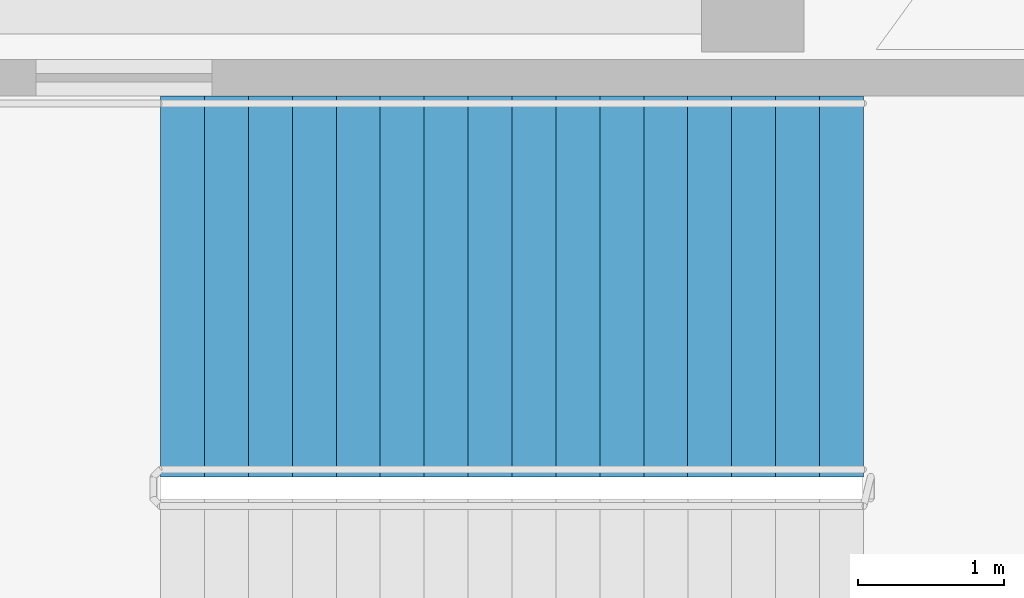
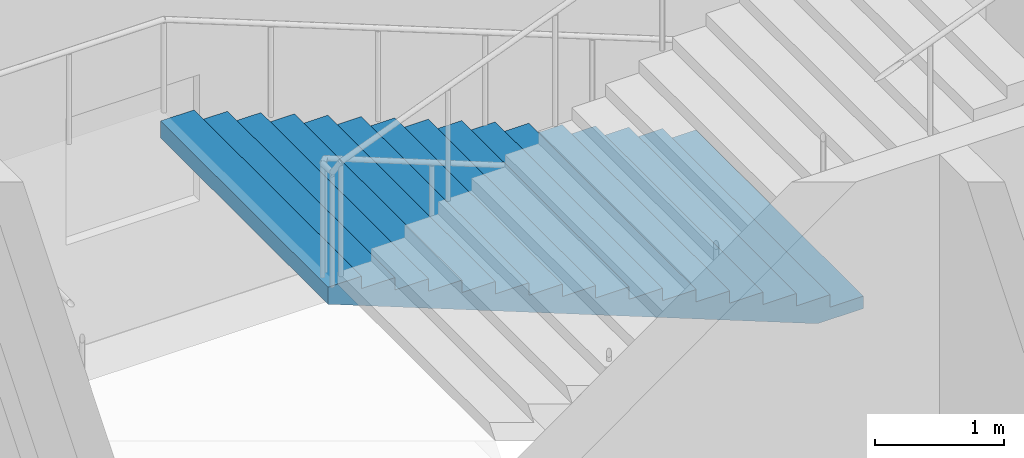
# One storey, part 8 of 10: 1 stair flight, 1 element without a shape of its own.
"""IFC4 building model written with IfcOpenShell, lengths in metres."""

import ifcopenshell
import ifcopenshell.guid

model = None  # the IFC model being written
_history = None  # IfcOwnerHistory: only IFC2X3 demands one
_inside = {}  # id of a spatial element -> (the spatial element, [elements in it])
_under = {}  # id of a project, library or spatial element -> (it, [spatial elements below it])
_declared = {}  # id of a project -> (the project, [libraries it declares])
_typed = {}  # id of a type object -> (the type object, [elements of that type])
_made_of = {}  # id of a material, layer set ... -> (it, [elements and type objects made of it])


def new_model(schema):
    """Start an empty IFC model of exactly this schema.

    Asked for "IFC4X3", IfcOpenShell would pick the latest addendum, in which some entities
    have other attributes; the version numbers below select the first issue.
    IFC2X3 requires an IfcOwnerHistory on every rooted entity: one is made here for all.
    """
    global model, _history
    if schema == "IFC4X3":
        model = ifcopenshell.file(schema_version=(4, 3, 0, 0))
    else:
        model = ifcopenshell.file(schema=schema)
    _inside.clear()
    _under.clear()
    _declared.clear()
    _typed.clear()
    _made_of.clear()
    _history = None
    if model.schema == "IFC2X3":
        org = make("IfcOrganization", Name="unknown")
        user = make(
            "IfcPersonAndOrganization",
            ThePerson=make("IfcPerson", FamilyName="unknown"),
            TheOrganization=org,
        )
        app = make(
            "IfcApplication",
            ApplicationDeveloper=org,
            Version="unknown",
            ApplicationFullName="unknown",
            ApplicationIdentifier="unknown",
        )
        _history = make(
            "IfcOwnerHistory",
            OwningUser=user,
            OwningApplication=app,
            ChangeAction="ADDED",
            CreationDate=0,
        )
    return model


def make(cls, **values):
    """One entity of the class cls with the attributes given. An attribute that is None is left unset."""
    return model.create_entity(
        cls, **{name: value for name, value in values.items() if value is not None}
    )


def rooted(cls, **values):
    """An entity with a GlobalId (a new one), such as an element, a storey or a relation."""
    return make(cls, GlobalId=ifcopenshell.guid.new(), OwnerHistory=_history, **values)


def si_unit(unit_type, name, prefix=None):
    """IfcSIUnit, for example si_unit("LENGTHUNIT", "METRE", prefix="MILLI")."""
    return make("IfcSIUnit", UnitType=unit_type, Prefix=prefix, Name=name)


def assignment(units):
    """IfcUnitAssignment: the units of a project."""
    return None if units is None else make("IfcUnitAssignment", Units=units)


def point(xyz):
    """IfcCartesianPoint."""
    return None if xyz is None else make("IfcCartesianPoint", Coordinates=xyz)


def direction(xyz):
    """IfcDirection."""
    return None if xyz is None else make("IfcDirection", DirectionRatios=xyz)


def frame(location, z_axis=None, x_axis=None):
    """IfcAxis2Placement3D, a coordinate frame: its origin and axes. An axis left out is left unset."""
    return make(
        "IfcAxis2Placement3D",
        Location=point(location),
        Axis=direction(z_axis),
        RefDirection=direction(x_axis),
    )


def origin():
    """The frame at (0, 0, 0) with its axes left unset."""
    return frame((0.0, 0.0, 0.0))


def place(relative_to, where):
    """IfcLocalPlacement: puts the frame where relative to a parent placement (None: the world)."""
    return make(
        "IfcLocalPlacement", PlacementRelTo=relative_to, RelativePlacement=where
    )


def context(
    kind, dimensions, precision=None, world=None, true_north=None, identifier=None
):
    """IfcGeometricRepresentationContext, for example the 3D "Model" context."""
    return make(
        "IfcGeometricRepresentationContext",
        ContextIdentifier=identifier,
        ContextType=kind,
        CoordinateSpaceDimension=dimensions,
        Precision=precision,
        WorldCoordinateSystem=world,
        TrueNorth=true_north,
    )


def subcontext(parent, identifier, kind, view, scale=None):
    """IfcGeometricRepresentationSubContext, for example "Body" below "Model"."""
    return make(
        "IfcGeometricRepresentationSubContext",
        ContextIdentifier=identifier,
        ContextType=kind,
        ParentContext=parent,
        TargetScale=scale,
        TargetView=view,
    )


def project(units=None, contexts=None):
    """IfcProject with its units and contexts."""
    return rooted(
        "IfcProject",
        Name="project",
        RepresentationContexts=contexts,
        UnitsInContext=assignment(units),
    )


def spatial(cls, under=None, at=None, **own):
    """A site, building, storey or space (cls), placed at a placement, below another one or the project."""
    s = rooted(cls, ObjectPlacement=at, **own)
    if under is not None:
        _under.setdefault(under.id(), (under, []))[1].append(s)
    return s


def polyline(points):
    """IfcPolyline through the points."""
    return make("IfcPolyline", Points=[point(p) for p in points])


def outline(outer, holes=None, kind="AREA"):
    """IfcArbitraryClosedProfileDef: a profile drawn as a closed curve; with holes, ...WithVoids."""
    if holes is None:
        return make("IfcArbitraryClosedProfileDef", ProfileType=kind, OuterCurve=outer)
    return make(
        "IfcArbitraryProfileDefWithVoids",
        ProfileType=kind,
        OuterCurve=outer,
        InnerCurves=holes,
    )


def extrude(swept, where, along, depth):
    """IfcExtrudedAreaSolid: the profile swept, set in the frame where, extruded along a direction by depth."""
    return make(
        "IfcExtrudedAreaSolid",
        SweptArea=swept,
        Position=where,
        ExtrudedDirection=direction(along),
        Depth=depth,
    )


def shape(context_of_items, identifier, shape_type, items):
    """IfcShapeRepresentation: the items that make up one representation, for example the "Body"."""
    return make(
        "IfcShapeRepresentation",
        ContextOfItems=context_of_items,
        RepresentationIdentifier=identifier,
        RepresentationType=shape_type,
        Items=items,
    )


def material(Name=None, Category=None):
    """IfcMaterial."""
    return make("IfcMaterial", Name=Name, Category=Category)


def made_of(thing, what):
    """Note that an element or type object is made of a material, layer set ...; save() writes the relation."""
    if what is not None:
        _made_of.setdefault(what.id(), (what, []))[1].append(thing)
    return thing


def type_object(cls, material=None, **own):
    """A type object (cls), such as IfcWallType, which elements share."""
    return made_of(rooted(cls, **own), material)


def element(
    cls,
    number,
    at=None,
    inside=None,
    cuts=None,
    type_object=None,
    material=None,
    context=None,
    identifier="Body",
    shape_type=None,
    held_by="IfcProductDefinitionShape",
    body=None,
    shapes=None,
    **own,
):
    """One element of the class cls, such as IfcWall. Its Tag is "e" and its number.

    at: its placement. inside: the storey or other place that contains it. cuts: it is an
    opening in that element (IfcRelVoidsElement). A single representation is given by context,
    identifier, shape_type and body (its items); several are given by shapes. held_by: the class
    of the entity that holds the representations. save() writes the other relations.
    """
    e = rooted(cls, Tag="e%d" % number, ObjectPlacement=at, **own)
    if body is not None:
        shapes = [shape(context, identifier, shape_type, body)]
    if shapes is not None:
        e.Representation = make(held_by, Representations=shapes)
    if inside is not None:
        _inside.setdefault(inside.id(), (inside, []))[1].append(e)
    if cuts is not None:
        rooted(
            "IfcRelVoidsElement", RelatingBuildingElement=cuts, RelatedOpeningElement=e
        )
    if type_object is not None:
        _typed.setdefault(type_object.id(), (type_object, []))[1].append(e)
    return made_of(e, material)


def aggregate(whole, parts):
    """IfcRelAggregates: a whole, such as a stair, and the parts it consists of."""
    return rooted("IfcRelAggregates", RelatingObject=whole, RelatedObjects=parts)


def save(model, path):
    """Write the relations noted so far, then the file.

    IfcRelAggregates (storeys below a building ...), IfcRelContainedInSpatialStructure (elements
    in a storey), IfcRelDefinesByType, IfcRelAssociatesMaterial and IfcRelDeclares: one each for
    every whole, place, type object, material and project.
    """
    for whole, parts in _under.values():
        aggregate(whole, parts)
    for where, things in _inside.values():
        rooted(
            "IfcRelContainedInSpatialStructure",
            RelatedElements=things,
            RelatingStructure=where,
        )
    for kind, things in _typed.values():
        rooted("IfcRelDefinesByType", RelatedObjects=things, RelatingType=kind)
    for what, things in _made_of.values():
        rooted("IfcRelAssociatesMaterial", RelatedObjects=things, RelatingMaterial=what)
    for by, libraries in _declared.values():
        rooted("IfcRelDeclares", RelatingContext=by, RelatedDefinitions=libraries)
    model.write(path)


model = new_model("IFC4")

# Units and contexts
model_context = context("Model", 3, precision=1e-05, world=origin(), true_north=direction((0.0, 1.0)))
body_context = subcontext(model_context, "Body", "Model", "MODEL_VIEW")
ifc_project = project(units=[si_unit("LENGTHUNIT", "METRE"), si_unit("AREAUNIT", "SQUARE_METRE"), si_unit("VOLUMEUNIT", "CUBIC_METRE"), si_unit("PLANEANGLEUNIT", "RADIAN"), si_unit("MASSUNIT", "GRAM", prefix="KILO")], contexts=[model_context])

# Site, building, storey
site_placement = place(None, origin())
site = spatial("IfcSite", under=ifc_project, at=site_placement, CompositionType="ELEMENT")
building_placement = place(site_placement, origin())
building = spatial("IfcBuilding", under=site, at=building_placement, Name="Quipu Civic Tower", CompositionType="ELEMENT")
storey_placement = place(building_placement, frame((0.0, 0.0, 339.0)))
storey = spatial("IfcBuildingStorey", under=building, at=storey_placement, Name="L79", CompositionType="ELEMENT", Elevation=339.0)

# Stair, stair flight
ifc_material_1 = material(Name="Concrete C40/50", Category="concrete")
stair_type = type_object("IfcStairType", Name="Half turn stair 2600", PredefinedType="HALF_TURN_STAIR", material=ifc_material_1)
stair_placement = place(storey_placement, origin())
stair = element("IfcStair", 1, at=stair_placement, inside=storey, type_object=stair_type, Name="Exit stair 4", PredefinedType="HALF_TURN_STAIR")
ifc_material_2 = material(Name="Concrete C40/50", Category="concrete")
stair_flight_type = type_object("IfcStairFlightType", Name="Stair flight 2600", PredefinedType="STRAIGHT", material=ifc_material_2)
stair_flight_placement = place(storey_placement, frame((15.14990234375, 8.550048828125, 0.0), z_axis=(0.0, 0.0, 1.0), x_axis=(-1.0, 0.0, 0.0)))
stair_flight = element("IfcStairFlight", 2, at=stair_flight_placement, type_object=stair_flight_type, Name="ST-4 flight 1", NumberOfRisers=17, NumberOfTreads=16, PredefinedType="STRAIGHT", RiserHeight=0.117647059, TreadLength=0.3, context=body_context, shape_type="SweptSolid", body=[
    extrude(outline(polyline([(0.0, 0.0), (0.0, 0.11767578125), (0.300048828125, 0.11767578125), (0.300048828125, 0.2353515625), (0.60009765625, 0.2353515625), (0.60009765625, 0.35302734375), (0.89990234375, 0.35302734375), (0.89990234375, 0.470703125), (1.199951171875, 0.470703125), (1.199951171875, 0.588134765625), (1.5, 0.588134765625), (1.5, 0.705810546875), (1.800048828125, 0.705810546875), (1.800048828125, 0.823486328125), (2.10009765625, 0.823486328125), (2.10009765625, 0.941162109375), (2.39990234375, 0.941162109375), (2.39990234375, 1.058837890625), (2.699951171875, 1.058837890625), (2.699951171875, 1.176513671875), (3.0, 1.176513671875), (3.0, 1.294189453125), (3.300048828125, 1.294189453125), (3.300048828125, 1.411865234375), (3.60009765625, 1.411865234375), (3.60009765625, 1.529296875), (3.89990234375, 1.529296875), (3.89990234375, 1.64697265625), (4.199951171875, 1.64697265625), (4.199951171875, 1.7646484375), (4.5, 1.7646484375), (4.5, 1.88232421875), (4.800048828125, 1.88232421875), (4.800048828125, 2.0), (4.800048828125, 1.721435546875), (0.41064453125, 0.0), (0.0, 0.0)])), frame((0.0, 1.300048828125, 0.0), z_axis=(0.0, -1.0, 0.0), x_axis=(1.0, 0.0, 0.0)), (0.0, 0.0, 1.0), 2.60009765625),
])
aggregate(stair, [stair_flight])

save(model, "model.ifc")
